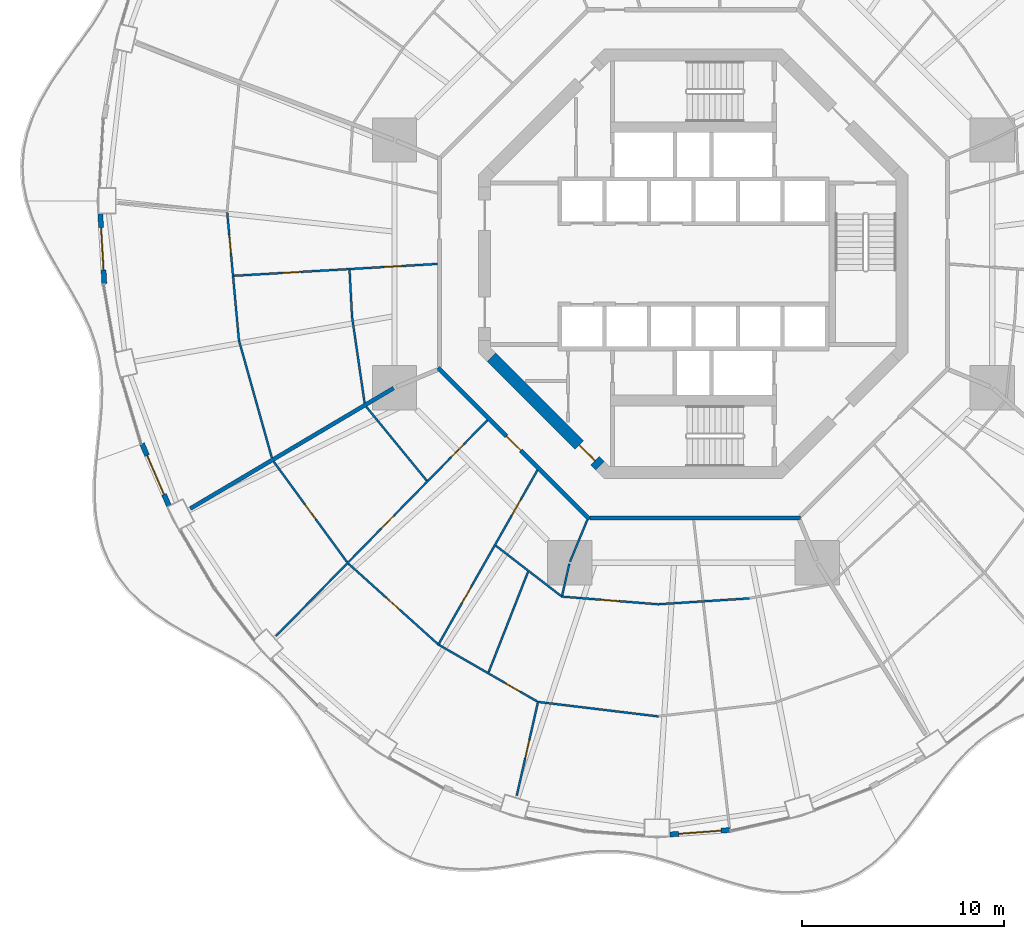
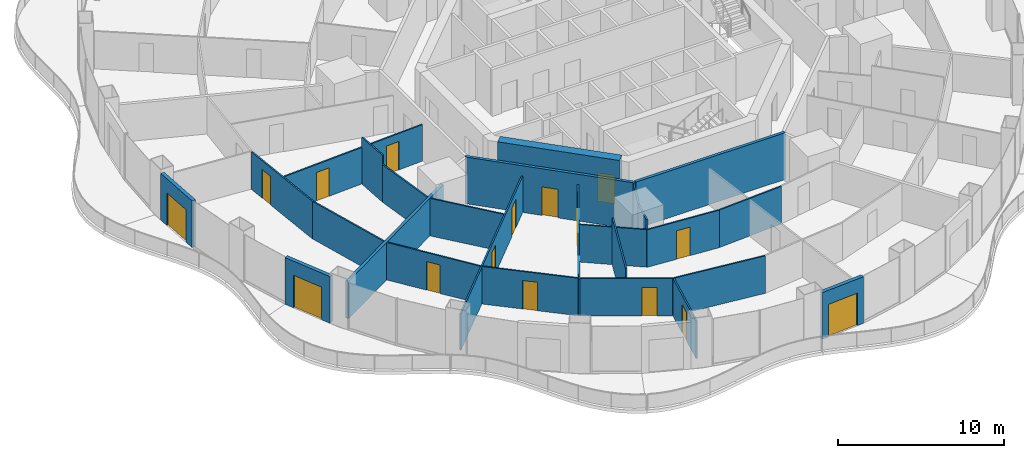
# One storey, part 14 of 22: 26 walls, 17 doors, 17 openings.
"""IFC4 building model written with IfcOpenShell, lengths in metres."""

from ifc_helpers import new_model, si_unit, direction, frame, frame_2d, origin, place, context, subcontext, project, spatial, rectangle, extrude, material, layer, layer_set, type_object, element, fill, save


model = new_model("IFC4")

# Units and contexts
model_context = context("Model", 3, precision=1e-05, world=origin(), true_north=direction((0.0, 1.0)))
body_context = subcontext(model_context, "Body", "Model", "MODEL_VIEW")
ifc_project = project(units=[si_unit("LENGTHUNIT", "METRE"), si_unit("AREAUNIT", "SQUARE_METRE"), si_unit("VOLUMEUNIT", "CUBIC_METRE"), si_unit("PLANEANGLEUNIT", "RADIAN"), si_unit("MASSUNIT", "GRAM", prefix="KILO")], contexts=[model_context])

# Site, building, storey
site_placement = place(None, origin())
site = spatial("IfcSite", under=ifc_project, at=site_placement, CompositionType="ELEMENT")
building_placement = place(site_placement, origin())
building = spatial("IfcBuilding", under=site, at=building_placement, Name="Nagisa Residences", CompositionType="ELEMENT")
storey_placement = place(building_placement, frame((0.0, 0.0, 88.10009765625)))
storey = spatial("IfcBuildingStorey", under=building, at=storey_placement, Name="L21", CompositionType="ELEMENT", Elevation=88.10009765625)

# Wall
ifc_material_1 = material(Name="Gypsum board on steel studs", Category="steel")
ifc_layer_1 = layer(ifc_material_1, 0.199951171875)
ifc_layer_set_1 = layer_set([ifc_layer_1], Name="Apartment compartment wall EI60 200")
wall_type_1 = type_object("IfcWallType", Name="Apartment compartment wall EI60 200", PredefinedType="PARTITIONING", material=ifc_layer_set_1)
wall_1_placement = place(storey_placement, frame((-14.824951171875, -6.1484375, 0.0), z_axis=(0.0, 0.0, 1.0), x_axis=(-0.860400431487, -0.509618580408, 0.0)))
element("IfcWall", 1, at=wall_1_placement, inside=storey, type_object=wall_type_1, Name="wall:L21:u05", PredefinedType="PARTITIONING", context=body_context, shape_type="SweptSolid", body=[
    extrude(rectangle(XDim=11.687744140625, YDim=0.199951171875, at=frame_2d((5.84375, 0.0))), origin(), (0.0, 0.0, 1.0), 2.761962890625),
])

# Wall, opening, door
ifc_material_2 = material(Name="Gypsum board on steel studs", Category="steel")
ifc_layer_2 = layer(ifc_material_2, 0.199951171875)
ifc_layer_set_2 = layer_set([ifc_layer_2], Name="Apartment entry wall EI60 200")
wall_type_2 = type_object("IfcWallType", Name="Apartment entry wall EI60 200", PredefinedType="PARTITIONING", material=ifc_layer_set_2)
wall_2_placement = place(storey_placement, frame((-12.635498046875, -5.1337890625, 0.0), z_axis=(0.0, 0.0, 1.0), x_axis=(0.707106781187, -0.707106781187, 0.0)))
wall_2 = element("IfcWall", 2, at=wall_2_placement, inside=storey, type_object=wall_type_2, Name="wall:L21:u15", PredefinedType="PARTITIONING", context=body_context, shape_type="SweptSolid", body=[
    extrude(rectangle(XDim=10.609130859375, YDim=0.199951171875, at=frame_2d((5.3046875, 0.0))), origin(), (0.0, 0.0, 1.0), 3.43994140625),
])
opening_1_placement = place(wall_2_placement, frame((4.804443359375, 0.0, 0.0)))
opening_1 = element("IfcOpeningElement", 3, at=opening_1_placement, cuts=wall_2, Name="Opening L21-U24", PredefinedType="OPENING", context=body_context, shape_type="SweptSolid", body=[
    extrude(rectangle(XDim=1.0, YDim=2.10009765625, at=frame_2d((0.5, 1.050048828125))), frame((0.0, 0.10986328125, 0.0), z_axis=(0.0, -1.0, 0.0), x_axis=(1.0, 0.0, 0.0)), (0.0, 0.0, 1.0), 0.219970703125),
])
ifc_material_3 = material(Name="Timber fire door set", Category="wood")
door_type_1 = type_object("IfcDoorType", Name="Apartment entry door FD30S 1000x2100", OperationType="NOTDEFINED", PredefinedType="DOOR", material=ifc_material_3)
door_1_placement = place(opening_1_placement, frame((1.0, 0.0, 0.0), x_axis=(-1.0, 0.0, 0.0)))
door_1 = element("IfcDoor", 4, at=door_1_placement, inside=storey, type_object=door_type_1, Name="Entry door, Apartment 21C", OperationType="SINGLE_SWING_LEFT", OverallHeight=2.10009765625, OverallWidth=1.0, PredefinedType="DOOR", context=body_context, shape_type="SweptSolid", body=[
    extrude(rectangle(XDim=1.0, YDim=2.10009765625, at=frame_2d((0.5, 1.050048828125))), frame((0.0, 0.02490234375, 0.0), z_axis=(0.0, -1.0, 0.0), x_axis=(1.0, 0.0, 0.0)), (0.0, 0.0, 1.0), 0.050048828125),
])
fill(opening_1, door_1)

# Wall
wall_3_placement = place(storey_placement, frame((-5.1044921875, -12.564697265625, 0.0), z_axis=(0.0, 0.0, 1.0), x_axis=(1.0, 0.0, 0.0)))
element("IfcWall", 5, at=wall_3_placement, inside=storey, type_object=wall_type_2, Name="wall:L21:u16", PredefinedType="PARTITIONING", context=body_context, shape_type="SweptSolid", body=[
    extrude(rectangle(XDim=10.408935546875, YDim=0.199951171875, at=frame_2d((5.20458984375, 0.0))), origin(), (0.0, 0.0, 1.0), 3.43994140625),
])

# Wall, opening, door
ifc_material_4 = material(Name="Gypsum board on steel studs", Category="steel")
ifc_layer_3 = layer(ifc_material_4, 0.10009765625)
ifc_layer_set_3 = layer_set([ifc_layer_3], Name="Apartment partition 100")
wall_type_3 = type_object("IfcWallType", Name="Apartment partition 100", PredefinedType="PARTITIONING", material=ifc_layer_set_3)
wall_4_placement = place(storey_placement, frame((-23.056884765625, 2.54248046875, 0.0), z_axis=(0.0, 0.0, 1.0), x_axis=(0.091364304609, -0.995817535417, 0.0)))
wall_4 = element("IfcWall", 6, at=wall_4_placement, inside=storey, type_object=wall_type_3, Name="wall:L21:u60", PredefinedType="PARTITIONING", context=body_context, shape_type="SweptSolid", body=[
    extrude(rectangle(XDim=6.402587890625, YDim=0.10009765625, at=frame_2d((3.201171875, 0.0))), origin(), (0.0, 0.0, 1.0), 2.761962890625),
])
opening_2_placement = place(wall_4_placement, frame((1.12548828125, 0.0, 0.0)))
opening_2 = element("IfcOpeningElement", 7, at=opening_2_placement, cuts=wall_4, Name="Opening L21-U23", PredefinedType="OPENING", context=body_context, shape_type="SweptSolid", body=[
    extrude(rectangle(XDim=0.89990234375, YDim=2.10009765625, at=frame_2d((0.449951171875, 1.050048828125))), frame((0.0, 0.06005859375, 0.0), z_axis=(0.0, -1.0, 0.0), x_axis=(1.0, 0.0, 0.0)), (0.0, 0.0, 1.0), 0.1201171875),
])
ifc_material_5 = material(Name="Timber door set", Category="wood")
door_type_2 = type_object("IfcDoorType", Name="Apartment door 900x2100", OperationType="NOTDEFINED", PredefinedType="DOOR", material=ifc_material_5)
door_2_placement = place(opening_2_placement, frame((0.89990234375, 0.0, 0.0), x_axis=(-1.0, 0.0, 0.0)))
door_2 = element("IfcDoor", 8, at=door_2_placement, inside=storey, type_object=door_type_2, Name="Door to living room, Apartment 21B", OperationType="SINGLE_SWING_RIGHT", OverallHeight=2.10009765625, OverallWidth=0.89990234375, PredefinedType="DOOR", context=body_context, shape_type="SweptSolid", body=[
    extrude(rectangle(XDim=0.89990234375, YDim=2.10009765625, at=frame_2d((0.449951171875, 1.050048828125))), frame((0.0, 0.02490234375, 0.0), z_axis=(0.0, -1.0, 0.0), x_axis=(1.0, 0.0, 0.0)), (0.0, 0.0, 1.0), 0.050048828125),
])
fill(opening_2, door_2)

# Wall, openings, doors
wall_5_placement = place(storey_placement, frame((-12.66455078125, -0.005859375, 0.0), z_axis=(0.0, 0.0, 1.0), x_axis=(-0.998300603128, -0.058274400843, 0.0)))
wall_5 = element("IfcWall", 9, at=wall_5_placement, inside=storey, type_object=wall_type_3, Name="wall:L21:u61", PredefinedType="PARTITIONING", context=body_context, shape_type="SweptSolid", body=[
    extrude(rectangle(XDim=10.071533203125, YDim=0.10009765625, at=frame_2d((5.03564453125, 0.0))), origin(), (0.0, 0.0, 1.0), 2.68701171875),
])
opening_3_placement = place(wall_5_placement, frame((1.7255859375, 0.0, 0.0)))
opening_3 = element("IfcOpeningElement", 10, at=opening_3_placement, cuts=wall_5, Name="Opening L21-U19", PredefinedType="OPENING", context=body_context, shape_type="SweptSolid", body=[
    extrude(rectangle(XDim=0.89990234375, YDim=2.10009765625, at=frame_2d((0.449951171875, 1.050048828125))), frame((0.0, 0.06005859375, 0.0), z_axis=(0.0, -1.0, 0.0), x_axis=(1.0, 0.0, 0.0)), (0.0, 0.0, 1.0), 0.1201171875),
])
opening_4_placement = place(wall_5_placement, frame((6.761474609375, 0.0, 0.0)))
opening_4 = element("IfcOpeningElement", 11, at=opening_4_placement, cuts=wall_5, Name="Opening L21-U21", PredefinedType="OPENING", context=body_context, shape_type="SweptSolid", body=[
    extrude(rectangle(XDim=0.89990234375, YDim=2.10009765625, at=frame_2d((0.449951171875, 1.050048828125))), frame((0.0, 0.06005859375, 0.0), z_axis=(0.0, -1.0, 0.0), x_axis=(1.0, 0.0, 0.0)), (0.0, 0.0, 1.0), 0.1201171875),
])
door_3_placement = place(opening_3_placement, origin())
door_3 = element("IfcDoor", 12, at=door_3_placement, inside=storey, type_object=door_type_2, Name="Door to store, Apartment 21B", OperationType="SINGLE_SWING_LEFT", OverallHeight=2.10009765625, OverallWidth=0.89990234375, PredefinedType="DOOR", context=body_context, shape_type="SweptSolid", body=[
    extrude(rectangle(XDim=0.89990234375, YDim=2.10009765625, at=frame_2d((0.449951171875, 1.050048828125))), frame((0.0, 0.02490234375, 0.0), z_axis=(0.0, -1.0, 0.0), x_axis=(1.0, 0.0, 0.0)), (0.0, 0.0, 1.0), 0.050048828125),
])
fill(opening_3, door_3)
door_4_placement = place(opening_4_placement, origin())
door_4 = element("IfcDoor", 13, at=door_4_placement, inside=storey, type_object=door_type_2, Name="Door to kitchen, Apartment 21B", OperationType="SINGLE_SWING_LEFT", OverallHeight=2.10009765625, OverallWidth=0.89990234375, PredefinedType="DOOR", context=body_context, shape_type="SweptSolid", body=[
    extrude(rectangle(XDim=0.89990234375, YDim=2.10009765625, at=frame_2d((0.449951171875, 1.050048828125))), frame((0.0, 0.02490234375, 0.0), z_axis=(0.0, -1.0, 0.0), x_axis=(1.0, 0.0, 0.0)), (0.0, 0.0, 1.0), 0.050048828125),
])
fill(opening_4, door_4)

# Walls
wall_6_placement = place(storey_placement, frame((-17.005859375, -0.309326171875, 0.0), z_axis=(0.0, 0.0, 1.0), x_axis=(0.053749298185, -0.998554461682, 0.0)))
element("IfcWall", 14, at=wall_6_placement, inside=storey, type_object=wall_type_3, Name="wall:L21:u62", PredefinedType="PARTITIONING", context=body_context, shape_type="SweptSolid", body=[
    extrude(rectangle(XDim=2.27099609375, YDim=0.10009765625, at=frame_2d((1.135498046875, 0.0))), origin(), (0.0, 0.0, 1.0), 3.43994140625),
])
wall_7_placement = place(storey_placement, frame((-16.888427734375, -2.577392578125, 0.0), z_axis=(0.0, 0.0, 1.0), x_axis=(0.144228053649, -0.989544475272, 0.0)))
element("IfcWall", 15, at=wall_7_placement, inside=storey, type_object=wall_type_3, Name="wall:L21:u63", PredefinedType="PARTITIONING", context=body_context, shape_type="SweptSolid", body=[
    extrude(rectangle(XDim=4.35888671875, YDim=0.10009765625, at=frame_2d((2.179443359375, 0.0))), origin(), (0.0, 0.0, 1.0), 2.761962890625),
])
wall_8_placement = place(storey_placement, frame((-22.462890625, -3.83154296875, 0.0), z_axis=(0.0, 0.0, 1.0), x_axis=(0.269805201578, -0.962914925215, 0.0)))
element("IfcWall", 16, at=wall_8_placement, inside=storey, type_object=wall_type_3, Name="wall:L21:u64", PredefinedType="PARTITIONING", context=body_context, shape_type="SweptSolid", body=[
    extrude(rectangle(XDim=5.992919921875, YDim=0.10009765625, at=frame_2d((2.99658203125, 0.0))), origin(), (0.0, 0.0, 1.0), 2.761962890625),
])
wall_9_placement = place(storey_placement, frame((-16.181884765625, -7.067138671875, 0.0), z_axis=(0.0, 0.0, 1.0), x_axis=(0.633400832951, -0.773823871962, 0.0)))
element("IfcWall", 17, at=wall_9_placement, inside=storey, type_object=wall_type_3, Name="wall:L21:u65", PredefinedType="PARTITIONING", context=body_context, shape_type="SweptSolid", body=[
    extrude(rectangle(XDim=4.72900390625, YDim=0.10009765625, at=frame_2d((2.364501953125, 0.0))), origin(), (0.0, 0.0, 1.0), 2.761962890625),
])

# Wall, opening, door
wall_10_placement = place(storey_placement, frame((-20.760009765625, -9.779296875, 0.0), z_axis=(0.0, 0.0, 1.0), x_axis=(0.589597019189, -0.807697564045, 0.0)))
wall_10 = element("IfcWall", 18, at=wall_10_placement, inside=storey, type_object=wall_type_3, Name="wall:L21:u66", PredefinedType="PARTITIONING", context=body_context, shape_type="SweptSolid", body=[
    extrude(rectangle(XDim=6.15771484375, YDim=0.10009765625, at=frame_2d((3.078857421875, 0.0))), origin(), (0.0, 0.0, 1.0), 2.761962890625),
])
opening_5_placement = place(wall_10_placement, frame((2.62890625, 0.0, 0.0)))
opening_5 = element("IfcOpeningElement", 19, at=opening_5_placement, cuts=wall_10, Name="Opening L21-U29", PredefinedType="OPENING", context=body_context, shape_type="SweptSolid", body=[
    extrude(rectangle(XDim=0.89990234375, YDim=2.10009765625, at=frame_2d((0.449951171875, 1.050048828125))), frame((0.0, 0.06005859375, 0.0), z_axis=(0.0, -1.0, 0.0), x_axis=(1.0, 0.0, 0.0)), (0.0, 0.0, 1.0), 0.1201171875),
])
door_5_placement = place(opening_5_placement, frame((0.89990234375, 0.0, 0.0), x_axis=(-1.0, 0.0, 0.0)))
door_5 = element("IfcDoor", 20, at=door_5_placement, inside=storey, type_object=door_type_2, Name="Door to master bedroom, Apartment 21C", OperationType="SINGLE_SWING_RIGHT", OverallHeight=2.10009765625, OverallWidth=0.89990234375, PredefinedType="DOOR", context=body_context, shape_type="SweptSolid", body=[
    extrude(rectangle(XDim=0.89990234375, YDim=2.10009765625, at=frame_2d((0.449951171875, 1.050048828125))), frame((0.0, 0.02490234375, 0.0), z_axis=(0.0, -1.0, 0.0), x_axis=(1.0, 0.0, 0.0)), (0.0, 0.0, 1.0), 0.050048828125),
])
fill(opening_5, door_5)

# Wall, openings, doors
wall_11_placement = place(storey_placement, frame((-10.181396484375, -7.729248046875, 0.0), z_axis=(0.0, 0.0, 1.0), x_axis=(-0.699708106083, -0.714428839201, 0.0)))
wall_11 = element("IfcWall", 21, at=wall_11_placement, inside=storey, type_object=wall_type_3, Name="wall:L21:u67", PredefinedType="PARTITIONING", context=body_context, shape_type="SweptSolid", body=[
    extrude(rectangle(XDim=14.95947265625, YDim=0.10009765625, at=frame_2d((7.479736328125, 0.0))), origin(), (0.0, 0.0, 1.0), 2.68701171875),
])
opening_6_placement = place(wall_11_placement, frame((1.6748046875, 0.0, 0.0)))
opening_6 = element("IfcOpeningElement", 22, at=opening_6_placement, cuts=wall_11, Name="Opening L21-U25", PredefinedType="OPENING", context=body_context, shape_type="SweptSolid", body=[
    extrude(rectangle(XDim=0.89990234375, YDim=2.10009765625, at=frame_2d((0.449951171875, 1.050048828125))), frame((0.0, 0.06005859375, 0.0), z_axis=(0.0, -1.0, 0.0), x_axis=(1.0, 0.0, 0.0)), (0.0, 0.0, 1.0), 0.1201171875),
])
opening_7_placement = place(wall_11_placement, frame((6.61865234375, 0.0, 0.0)))
opening_7 = element("IfcOpeningElement", 23, at=opening_7_placement, cuts=wall_11, Name="Opening L21-U27", PredefinedType="OPENING", context=body_context, shape_type="SweptSolid", body=[
    extrude(rectangle(XDim=0.89990234375, YDim=2.10009765625, at=frame_2d((0.449951171875, 1.050048828125))), frame((0.0, 0.06005859375, 0.0), z_axis=(0.0, -1.0, 0.0), x_axis=(1.0, 0.0, 0.0)), (0.0, 0.0, 1.0), 0.1201171875),
])
door_6_placement = place(opening_6_placement, frame((0.89990234375, 0.0, 0.0), x_axis=(-1.0, 0.0, 0.0)))
door_6 = element("IfcDoor", 24, at=door_6_placement, inside=storey, type_object=door_type_2, Name="Door to laundry, Apartment 21C", OperationType="SINGLE_SWING_RIGHT", OverallHeight=2.10009765625, OverallWidth=0.89990234375, PredefinedType="DOOR", context=body_context, shape_type="SweptSolid", body=[
    extrude(rectangle(XDim=0.89990234375, YDim=2.10009765625, at=frame_2d((0.449951171875, 1.050048828125))), frame((0.0, 0.02490234375, 0.0), z_axis=(0.0, -1.0, 0.0), x_axis=(1.0, 0.0, 0.0)), (0.0, 0.0, 1.0), 0.050048828125),
])
fill(opening_6, door_6)
door_7_placement = place(opening_7_placement, frame((0.89990234375, 0.0, 0.0), x_axis=(-1.0, 0.0, 0.0)))
door_7 = element("IfcDoor", 25, at=door_7_placement, inside=storey, type_object=door_type_2, Name="Door to family room, Apartment 21C", OperationType="SINGLE_SWING_RIGHT", OverallHeight=2.10009765625, OverallWidth=0.89990234375, PredefinedType="DOOR", context=body_context, shape_type="SweptSolid", body=[
    extrude(rectangle(XDim=0.89990234375, YDim=2.10009765625, at=frame_2d((0.449951171875, 1.050048828125))), frame((0.0, 0.02490234375, 0.0), z_axis=(0.0, -1.0, 0.0), x_axis=(1.0, 0.0, 0.0)), (0.0, 0.0, 1.0), 0.050048828125),
])
fill(opening_7, door_7)

# Wall, opening, door
wall_12_placement = place(storey_placement, frame((-17.062744140625, -14.826904296875, 0.0), z_axis=(0.0, 0.0, 1.0), x_axis=(0.743478142868, -0.668760234373, 0.0)))
wall_12 = element("IfcWall", 26, at=wall_12_placement, inside=storey, type_object=wall_type_3, Name="wall:L21:u68", PredefinedType="PARTITIONING", context=body_context, shape_type="SweptSolid", body=[
    extrude(rectangle(XDim=5.93701171875, YDim=0.10009765625, at=frame_2d((2.968505859375, 0.0))), origin(), (0.0, 0.0, 1.0), 2.761962890625),
])
opening_8_placement = place(wall_12_placement, frame((2.5185546875, 0.0, 0.0)))
opening_8 = element("IfcOpeningElement", 27, at=opening_8_placement, cuts=wall_12, Name="Opening L21-U30", PredefinedType="OPENING", context=body_context, shape_type="SweptSolid", body=[
    extrude(rectangle(XDim=0.89990234375, YDim=2.10009765625, at=frame_2d((0.449951171875, 1.050048828125))), frame((0.0, 0.06005859375, 0.0), z_axis=(0.0, -1.0, 0.0), x_axis=(1.0, 0.0, 0.0)), (0.0, 0.0, 1.0), 0.1201171875),
])
door_8_placement = place(opening_8_placement, frame((0.89990234375, 0.0, 0.0), x_axis=(-1.0, 0.0, 0.0)))
door_8 = element("IfcDoor", 28, at=door_8_placement, inside=storey, type_object=door_type_2, Name="Door to living room, Apartment 21C", OperationType="SINGLE_SWING_LEFT", OverallHeight=2.10009765625, OverallWidth=0.89990234375, PredefinedType="DOOR", context=body_context, shape_type="SweptSolid", body=[
    extrude(rectangle(XDim=0.89990234375, YDim=2.10009765625, at=frame_2d((0.449951171875, 1.050048828125))), frame((0.0, 0.02490234375, 0.0), z_axis=(0.0, -1.0, 0.0), x_axis=(1.0, 0.0, 0.0)), (0.0, 0.0, 1.0), 0.050048828125),
])
fill(opening_8, door_8)

# Wall, openings, doors
wall_13_placement = place(storey_placement, frame((-7.707275390625, -10.1982421875, 0.0), z_axis=(0.0, 0.0, 1.0), x_axis=(-0.493963587489, -0.869482589955, 0.0)))
wall_13 = element("IfcWall", 29, at=wall_13_placement, inside=storey, type_object=wall_type_3, Name="wall:L21:u69", PredefinedType="PARTITIONING", context=body_context, shape_type="SweptSolid", body=[
    extrude(rectangle(XDim=9.978271484375, YDim=0.10009765625, at=frame_2d((4.9892578125, 0.0))), origin(), (0.0, 0.0, 1.0), 2.68701171875),
])
opening_9_placement = place(wall_13_placement, frame((1.68359375, 0.0, 0.0)))
opening_9 = element("IfcOpeningElement", 30, at=opening_9_placement, cuts=wall_13, Name="Opening L21-U26", PredefinedType="OPENING", context=body_context, shape_type="SweptSolid", body=[
    extrude(rectangle(XDim=0.89990234375, YDim=2.10009765625, at=frame_2d((0.449951171875, 1.050048828125))), frame((0.0, 0.06005859375, 0.0), z_axis=(0.0, -1.0, 0.0), x_axis=(1.0, 0.0, 0.0)), (0.0, 0.0, 1.0), 0.1201171875),
])
opening_10_placement = place(wall_13_placement, frame((6.647705078125, 0.0, 0.0)))
opening_10 = element("IfcOpeningElement", 31, at=opening_10_placement, cuts=wall_13, Name="Opening L21-U28", PredefinedType="OPENING", context=body_context, shape_type="SweptSolid", body=[
    extrude(rectangle(XDim=0.89990234375, YDim=2.10009765625, at=frame_2d((0.449951171875, 1.050048828125))), frame((0.0, 0.06005859375, 0.0), z_axis=(0.0, -1.0, 0.0), x_axis=(1.0, 0.0, 0.0)), (0.0, 0.0, 1.0), 0.1201171875),
])
door_9_placement = place(opening_9_placement, origin())
door_9 = element("IfcDoor", 32, at=door_9_placement, inside=storey, type_object=door_type_2, Name="Door to family bathroom, Apartment 21C", OperationType="SINGLE_SWING_RIGHT", OverallHeight=2.10009765625, OverallWidth=0.89990234375, PredefinedType="DOOR", context=body_context, shape_type="SweptSolid", body=[
    extrude(rectangle(XDim=0.89990234375, YDim=2.10009765625, at=frame_2d((0.449951171875, 1.050048828125))), frame((0.0, 0.02490234375, 0.0), z_axis=(0.0, -1.0, 0.0), x_axis=(1.0, 0.0, 0.0)), (0.0, 0.0, 1.0), 0.050048828125),
])
fill(opening_9, door_9)
door_10_placement = place(opening_10_placement, origin())
door_10 = element("IfcDoor", 33, at=door_10_placement, inside=storey, type_object=door_type_2, Name="Door to family bathroom, Apartment 21C", OperationType="SINGLE_SWING_RIGHT", OverallHeight=2.10009765625, OverallWidth=0.89990234375, PredefinedType="DOOR", context=body_context, shape_type="SweptSolid", body=[
    extrude(rectangle(XDim=0.89990234375, YDim=2.10009765625, at=frame_2d((0.449951171875, 1.050048828125))), frame((0.0, 0.02490234375, 0.0), z_axis=(0.0, -1.0, 0.0), x_axis=(1.0, 0.0, 0.0)), (0.0, 0.0, 1.0), 0.050048828125),
])
fill(opening_10, door_10)

# Wall
wall_14_placement = place(storey_placement, frame((-9.775390625, -13.93896484375, 0.0), z_axis=(0.0, 0.0, 1.0), x_axis=(0.792156642473, -0.61031783014, 0.0)))
element("IfcWall", 34, at=wall_14_placement, inside=storey, type_object=wall_type_3, Name="wall:L21:u70", PredefinedType="PARTITIONING", context=body_context, shape_type="SweptSolid", body=[
    extrude(rectangle(XDim=4.080322265625, YDim=0.10009765625, at=frame_2d((2.0400390625, 0.0))), origin(), (0.0, 0.0, 1.0), 2.761962890625),
])

# Wall, opening, door
wall_15_placement = place(storey_placement, frame((-12.568115234375, -18.855712890625, 0.0), z_axis=(0.0, 0.0, 1.0), x_axis=(0.866532513598, -0.499120629585, 0.0)))
wall_15 = element("IfcWall", 35, at=wall_15_placement, inside=storey, type_object=wall_type_3, Name="wall:L21:u71", PredefinedType="PARTITIONING", context=body_context, shape_type="SweptSolid", body=[
    extrude(rectangle(XDim=5.5849609375, YDim=0.10009765625, at=frame_2d((2.79248046875, 0.0))), origin(), (0.0, 0.0, 1.0), 2.761962890625),
])
opening_11_placement = place(wall_15_placement, frame((3.73876953125, 0.0, 0.0)))
opening_11 = element("IfcOpeningElement", 36, at=opening_11_placement, cuts=wall_15, Name="Opening L21-U32", PredefinedType="OPENING", context=body_context, shape_type="SweptSolid", body=[
    extrude(rectangle(XDim=0.89990234375, YDim=2.10009765625, at=frame_2d((0.449951171875, 1.050048828125))), frame((0.0, 0.06005859375, 0.0), z_axis=(0.0, -1.0, 0.0), x_axis=(1.0, 0.0, 0.0)), (0.0, 0.0, 1.0), 0.1201171875),
])
door_11_placement = place(opening_11_placement, origin())
door_11 = element("IfcDoor", 37, at=door_11_placement, inside=storey, type_object=door_type_2, Name="Door to dining room, Apartment 21C", OperationType="SINGLE_SWING_RIGHT", OverallHeight=2.10009765625, OverallWidth=0.89990234375, PredefinedType="DOOR", context=body_context, shape_type="SweptSolid", body=[
    extrude(rectangle(XDim=0.89990234375, YDim=2.10009765625, at=frame_2d((0.449951171875, 1.050048828125))), frame((0.0, 0.02490234375, 0.0), z_axis=(0.0, -1.0, 0.0), x_axis=(1.0, 0.0, 0.0)), (0.0, 0.0, 1.0), 0.050048828125),
])
fill(opening_11, door_11)

# Walls
wall_16_placement = place(storey_placement, frame((-8.177490234375, -15.230712890625, 0.0), z_axis=(0.0, 0.0, 1.0), x_axis=(-0.365520869553, -0.930803144559, 0.0)))
element("IfcWall", 38, at=wall_16_placement, inside=storey, type_object=wall_type_3, Name="wall:L21:u72", PredefinedType="PARTITIONING", context=body_context, shape_type="SweptSolid", body=[
    extrude(rectangle(XDim=5.342041015625, YDim=0.10009765625, at=frame_2d((2.6708984375, 0.0))), origin(), (0.0, 0.0, 1.0), 3.43994140625),
])
wall_17_placement = place(storey_placement, frame((-5.24267578125, -12.6572265625, 0.0), z_axis=(0.0, 0.0, 1.0), x_axis=(-0.382719158442, -0.923864733477, 0.0)))
element("IfcWall", 39, at=wall_17_placement, inside=storey, type_object=wall_type_3, Name="wall:L21:u73", PredefinedType="PARTITIONING", context=body_context, shape_type="SweptSolid", body=[
    extrude(rectangle(XDim=2.25, YDim=0.10009765625, at=frame_2d((1.125, 0.0))), origin(), (0.0, 0.0, 1.0), 3.43994140625),
])
wall_18_placement = place(storey_placement, frame((-6.134033203125, -14.831298828125, 0.0), z_axis=(0.0, 0.0, 1.0), x_axis=(-0.221269290858, -0.975212746493, 0.0)))
element("IfcWall", 40, at=wall_18_placement, inside=storey, type_object=wall_type_3, Name="wall:L21:u74", PredefinedType="PARTITIONING", context=body_context, shape_type="SweptSolid", body=[
    extrude(rectangle(XDim=1.61962890625, YDim=0.10009765625, at=frame_2d((0.809814453125, 0.0))), origin(), (0.0, 0.0, 1.0), 3.43994140625),
])

# Wall, opening, door
wall_19_placement = place(storey_placement, frame((-6.55322265625, -16.45556640625, 0.0), z_axis=(0.0, 0.0, 1.0), x_axis=(0.996817033118, -0.079723286975, 0.0)))
wall_19 = element("IfcWall", 41, at=wall_19_placement, inside=storey, type_object=wall_type_3, Name="wall:L21:u75", PredefinedType="PARTITIONING", context=body_context, shape_type="SweptSolid", body=[
    extrude(rectangle(XDim=4.865966796875, YDim=0.10009765625, at=frame_2d((2.43310546875, 0.0))), origin(), (0.0, 0.0, 1.0), 2.761962890625),
])
opening_12_placement = place(wall_19_placement, frame((1.983154296875, 0.0, 0.0)))
opening_12 = element("IfcOpeningElement", 42, at=opening_12_placement, cuts=wall_19, Name="Opening L21-U35", PredefinedType="OPENING", context=body_context, shape_type="SweptSolid", body=[
    extrude(rectangle(XDim=0.89990234375, YDim=2.10009765625, at=frame_2d((0.449951171875, 1.050048828125))), frame((0.0, 0.06005859375, 0.0), z_axis=(0.0, -1.0, 0.0), x_axis=(1.0, 0.0, 0.0)), (0.0, 0.0, 1.0), 0.1201171875),
])
door_12_placement = place(opening_12_placement, origin())
door_12 = element("IfcDoor", 43, at=door_12_placement, inside=storey, type_object=door_type_2, Name="Door to store, Apartment 21C", OperationType="SINGLE_SWING_LEFT", OverallHeight=2.10009765625, OverallWidth=0.89990234375, PredefinedType="DOOR", context=body_context, shape_type="SweptSolid", body=[
    extrude(rectangle(XDim=0.89990234375, YDim=2.10009765625, at=frame_2d((0.449951171875, 1.050048828125))), frame((0.0, 0.02490234375, 0.0), z_axis=(0.0, -1.0, 0.0), x_axis=(1.0, 0.0, 0.0)), (0.0, 0.0, 1.0), 0.050048828125),
])
fill(opening_12, door_12)

wall_20_placement = place(storey_placement, frame((-7.6962890625, -21.717041015625, 0.0), z_axis=(0.0, 0.0, 1.0), x_axis=(-0.221196717441, -0.97522921008, 0.0)))
wall_20 = element("IfcWall", 44, at=wall_20_placement, inside=storey, type_object=wall_type_3, Name="wall:L21:u76", PredefinedType="PARTITIONING", context=body_context, shape_type="SweptSolid", body=[
    extrude(rectangle(XDim=4.69970703125, YDim=0.10009765625, at=frame_2d((2.349853515625, 0.0))), origin(), (0.0, 0.0, 1.0), 2.761962890625),
])
opening_13_placement = place(wall_20_placement, frame((1.89990234375, 0.0, 0.0)))
opening_13 = element("IfcOpeningElement", 45, at=opening_13_placement, cuts=wall_20, Name="Opening L21-U31", PredefinedType="OPENING", context=body_context, shape_type="SweptSolid", body=[
    extrude(rectangle(XDim=0.89990234375, YDim=2.10009765625, at=frame_2d((0.449951171875, 1.050048828125))), frame((0.0, 0.06005859375, 0.0), z_axis=(0.0, -1.0, 0.0), x_axis=(1.0, 0.0, 0.0)), (0.0, 0.0, 1.0), 0.1201171875),
])
door_13_placement = place(opening_13_placement, origin())
door_13 = element("IfcDoor", 46, at=door_13_placement, inside=storey, type_object=door_type_2, Name="Door to master bedroom, Apartment 21C", OperationType="SINGLE_SWING_LEFT", OverallHeight=2.10009765625, OverallWidth=0.89990234375, PredefinedType="DOOR", context=body_context, shape_type="SweptSolid", body=[
    extrude(rectangle(XDim=0.89990234375, YDim=2.10009765625, at=frame_2d((0.449951171875, 1.050048828125))), frame((0.0, 0.02490234375, 0.0), z_axis=(0.0, -1.0, 0.0), x_axis=(1.0, 0.0, 0.0)), (0.0, 0.0, 1.0), 0.050048828125),
])
fill(opening_13, door_13)

# Walls
wall_21_placement = place(storey_placement, frame((-7.73486328125, -21.662353515625, 0.0), z_axis=(0.0, 0.0, 1.0), x_axis=(0.992808347289, -0.119714600421, 0.0)))
element("IfcWall", 47, at=wall_21_placement, inside=storey, type_object=wall_type_3, Name="wall:L21:u77", PredefinedType="PARTITIONING", context=body_context, shape_type="SweptSolid", body=[
    extrude(rectangle(XDim=6.052734375, YDim=0.10009765625, at=frame_2d((3.0263671875, 0.0))), origin(), (0.0, 0.0, 1.0), 2.761962890625),
])
wall_22_placement = place(storey_placement, frame((-1.70263671875, -16.83642578125, 0.0), z_axis=(0.0, 0.0, 1.0), x_axis=(0.997899919101, 0.064774620473, 0.0)))
element("IfcWall", 48, at=wall_22_placement, inside=storey, type_object=wall_type_3, Name="wall:L21:u78", PredefinedType="PARTITIONING", context=body_context, shape_type="SweptSolid", body=[
    extrude(rectangle(XDim=4.477783203125, YDim=0.10009765625, at=frame_2d((2.23876953125, 0.0))), origin(), (0.0, 0.0, 1.0), 2.761962890625),
])

# Wall, opening, door
ifc_material_6 = material(Name="Precast concrete C40/50", Category="concrete")
ifc_layer_4 = layer(ifc_material_6, 0.25)
ifc_layer_set_4 = layer_set([ifc_layer_4], Name="BALCONY DOOR WALL 250")
wall_type_4 = type_object("IfcWallType", Name="BALCONY DOOR WALL 250", PredefinedType="SOLIDWALL", material=ifc_layer_set_4)
wall_23_placement = place(storey_placement, frame((-29.13330078125, -0.98876953125, 0.0), z_axis=(0.0, 0.0, 1.0), x_axis=(-0.057472489633, 0.998347090413, 0.0)))
wall_23 = element("IfcWall", 49, at=wall_23_placement, inside=storey, type_object=wall_type_4, Name="wall:L21:bay24", PredefinedType="SOLIDWALL", context=body_context, shape_type="SweptSolid", body=[
    extrude(rectangle(XDim=3.470458984375, YDim=0.25, at=frame_2d((1.7353515625, 0.0))), origin(), (0.0, 0.0, 1.0), 3.43994140625),
])
opening_14_placement = place(wall_23_placement, frame((0.68505859375, 0.0, 0.0)))
opening_14 = element("IfcOpeningElement", 50, at=opening_14_placement, cuts=wall_23, Name="Opening BD-L21-09", PredefinedType="OPENING", context=body_context, shape_type="SweptSolid", body=[
    extrude(rectangle(XDim=2.10009765625, YDim=2.39990234375, at=frame_2d((1.050048828125, 1.199951171875))), frame((0.0, 0.135009765625, 0.0), z_axis=(0.0, -1.0, 0.0), x_axis=(1.0, 0.0, 0.0)), (0.0, 0.0, 1.0), 0.27001953125),
])
ifc_material_7 = material(Name="Aluminium and clear glass", Category="aluminium")
door_type_3 = type_object("IfcDoorType", Name="BALCONY SLIDING DOOR 2100x2400", OperationType="SLIDING_TO_LEFT", PredefinedType="DOOR", material=ifc_material_7)
door_14_placement = place(opening_14_placement, origin())
door_14 = element("IfcDoor", 51, at=door_14_placement, inside=storey, type_object=door_type_3, Name="door:L21:bay24", OperationType="SLIDING_TO_LEFT", OverallHeight=2.39990234375, OverallWidth=2.10009765625, PredefinedType="DOOR", context=body_context, shape_type="SweptSolid", body=[
    extrude(rectangle(XDim=2.10009765625, YDim=2.39990234375, at=frame_2d((1.050048828125, 1.199951171875))), frame((0.0, 0.02490234375, 0.0), z_axis=(0.0, -1.0, 0.0), x_axis=(1.0, 0.0, 0.0)), (0.0, 0.0, 1.0), 0.050048828125),
])
fill(opening_14, door_14)

wall_24_placement = place(storey_placement, frame((-25.92822265625, -11.99365234375, 0.0), z_axis=(0.0, 0.0, 1.0), x_axis=(-0.397682447205, 0.917523117521, 0.0)))
wall_24 = element("IfcWall", 52, at=wall_24_placement, inside=storey, type_object=wall_type_4, Name="wall:L21:bay27", PredefinedType="SOLIDWALL", context=body_context, shape_type="SweptSolid", body=[
    extrude(rectangle(XDim=3.379638671875, YDim=0.25, at=frame_2d((1.68994140625, 0.0))), origin(), (0.0, 0.0, 1.0), 3.43994140625),
])
opening_15_placement = place(wall_24_placement, frame((0.6396484375, 0.0, 0.0)))
opening_15 = element("IfcOpeningElement", 53, at=opening_15_placement, cuts=wall_24, Name="Opening BD-L21-10", PredefinedType="OPENING", context=body_context, shape_type="SweptSolid", body=[
    extrude(rectangle(XDim=2.10009765625, YDim=2.39990234375, at=frame_2d((1.050048828125, 1.199951171875))), frame((0.0, 0.135009765625, 0.0), z_axis=(0.0, -1.0, 0.0), x_axis=(1.0, 0.0, 0.0)), (0.0, 0.0, 1.0), 0.27001953125),
])
door_15_placement = place(opening_15_placement, origin())
door_15 = element("IfcDoor", 54, at=door_15_placement, inside=storey, type_object=door_type_3, Name="door:L21:bay27", OperationType="SLIDING_TO_LEFT", OverallHeight=2.39990234375, OverallWidth=2.10009765625, PredefinedType="DOOR", context=body_context, shape_type="SweptSolid", body=[
    extrude(rectangle(XDim=2.10009765625, YDim=2.39990234375, at=frame_2d((1.050048828125, 1.199951171875))), frame((0.0, 0.02490234375, 0.0), z_axis=(0.0, -1.0, 0.0), x_axis=(1.0, 0.0, 0.0)), (0.0, 0.0, 1.0), 0.050048828125),
])
fill(opening_15, door_15)

wall_25_placement = place(storey_placement, frame((1.8056640625, -28.0029296875, 0.0), z_axis=(0.0, 0.0, 1.0), x_axis=(-0.997226174467, -0.074430887117, 0.0)))
wall_25 = element("IfcWall", 55, at=wall_25_placement, inside=storey, type_object=wall_type_4, Name="wall:L21:bay36", PredefinedType="SOLIDWALL", context=body_context, shape_type="SweptSolid", body=[
    extrude(rectangle(XDim=2.97509765625, YDim=0.25, at=frame_2d((1.487548828125, 0.0))), origin(), (0.0, 0.0, 1.0), 3.43994140625),
])
opening_16_placement = place(wall_25_placement, frame((0.4375, 0.0, 0.0)))
opening_16 = element("IfcOpeningElement", 56, at=opening_16_placement, cuts=wall_25, Name="Opening BD-L21-13", PredefinedType="OPENING", context=body_context, shape_type="SweptSolid", body=[
    extrude(rectangle(XDim=2.10009765625, YDim=2.39990234375, at=frame_2d((1.050048828125, 1.199951171875))), frame((0.0, 0.135009765625, 0.0), z_axis=(0.0, -1.0, 0.0), x_axis=(1.0, 0.0, 0.0)), (0.0, 0.0, 1.0), 0.27001953125),
])
door_16_placement = place(opening_16_placement, origin())
door_16 = element("IfcDoor", 57, at=door_16_placement, inside=storey, type_object=door_type_3, Name="door:L21:bay36", OperationType="SLIDING_TO_LEFT", OverallHeight=2.39990234375, OverallWidth=2.10009765625, PredefinedType="DOOR", context=body_context, shape_type="SweptSolid", body=[
    extrude(rectangle(XDim=2.10009765625, YDim=2.39990234375, at=frame_2d((1.050048828125, 1.199951171875))), frame((0.0, 0.02490234375, 0.0), z_axis=(0.0, -1.0, 0.0), x_axis=(1.0, 0.0, 0.0)), (0.0, 0.0, 1.0), 0.050048828125),
])
fill(opening_16, door_16)

ifc_material_8 = material(Name="Concrete C60", Category="concrete")
ifc_layer_5 = layer(ifc_material_8, 0.60009765625)
ifc_layer_set_5 = layer_set([ifc_layer_5], Name="Core shear wall 600")
wall_type_5 = type_object("IfcWallType", Name="Core shear wall 600", PredefinedType="SHEAR", material=ifc_layer_set_5)
wall_26_placement = place(storey_placement, frame((-9.98828125, -4.613037109375, 0.0), z_axis=(0.0, 0.0, 1.0), x_axis=(0.707106781187, -0.707106781187, 0.0)))
wall_26 = element("IfcWall", 58, at=wall_26_placement, inside=storey, type_object=wall_type_5, Name="wall:L21:core:flat5", PredefinedType="SHEAR", context=body_context, shape_type="SweptSolid", body=[
    extrude(rectangle(XDim=7.601806640625, YDim=0.60009765625, at=frame_2d((3.80078125, 0.0))), origin(), (0.0, 0.0, 1.0), 3.43994140625),
])
opening_17_placement = place(wall_26_placement, frame((6.15087890625, 0.0, 0.0)))
opening_17 = element("IfcOpeningElement", 59, at=opening_17_placement, cuts=wall_26, Name="Opening L21-C21", PredefinedType="OPENING", context=body_context, shape_type="SweptSolid", body=[
    extrude(rectangle(XDim=1.10009765625, YDim=2.10009765625, at=frame_2d((0.550048828125, 1.050048828125))), frame((0.0, 0.31005859375, 0.0), z_axis=(0.0, -1.0, 0.0), x_axis=(1.0, 0.0, 0.0)), (0.0, 0.0, 1.0), 0.6201171875),
])
ifc_material_9 = material(Name="Steel fire door", Category="steel")
door_type_4 = type_object("IfcDoorType", Name="Fire door EI60 1100x2100 single swing", OperationType="NOTDEFINED", PredefinedType="DOOR", material=ifc_material_9)
door_17_placement = place(opening_17_placement, origin())
door_17 = element("IfcDoor", 60, at=door_17_placement, inside=storey, type_object=door_type_4, Name="Housekeeping lobby door L21", OperationType="SINGLE_SWING_LEFT", OverallHeight=2.10009765625, OverallWidth=1.10009765625, PredefinedType="DOOR", context=body_context, shape_type="SweptSolid", body=[
    extrude(rectangle(XDim=1.10009765625, YDim=2.10009765625, at=frame_2d((0.550048828125, 1.050048828125))), frame((0.0, 0.02490234375, 0.0), z_axis=(0.0, -1.0, 0.0), x_axis=(1.0, 0.0, 0.0)), (0.0, 0.0, 1.0), 0.050048828125),
])
fill(opening_17, door_17)

save(model, "model.ifc")
